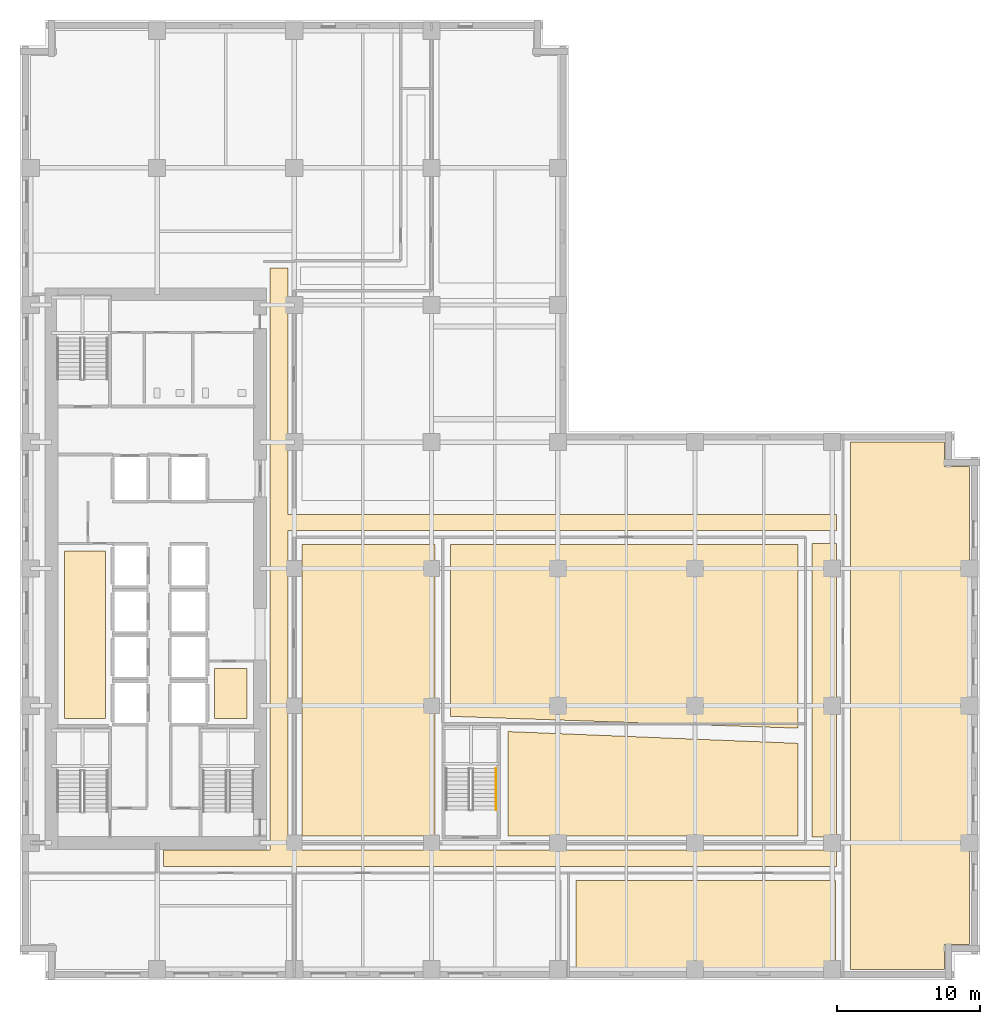
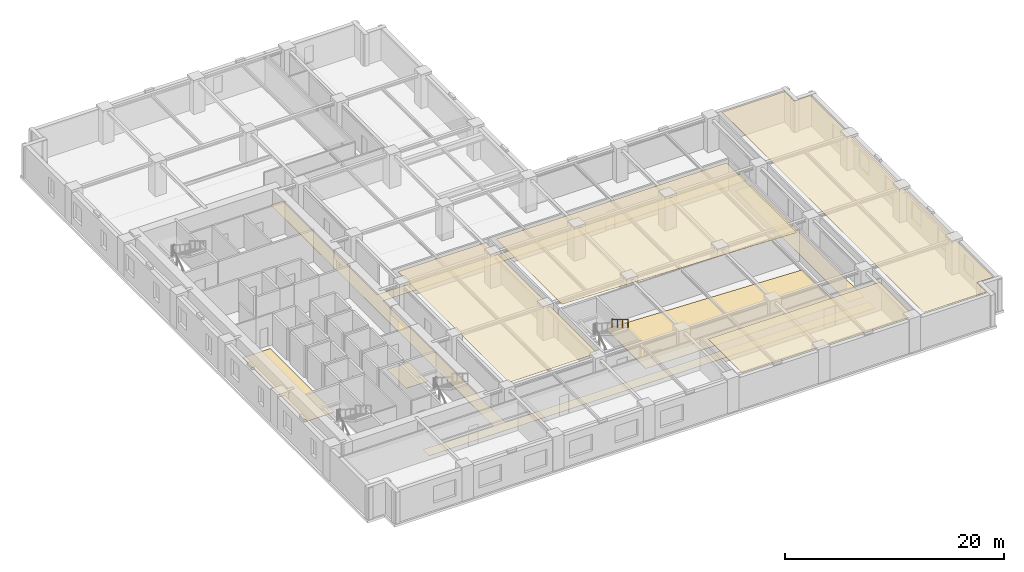
# One storey, part 10 of 13: 9 coverings, 1 railing.
"""IFC4 building model written with IfcOpenShell, lengths in metres."""

from ifc_helpers import new_model, si_unit, direction, frame, origin, origin_2d, place, context, subcontext, project, spatial, polyline, circle, outline, extrude, material, layer, layer_set, type_object, element, save


model = new_model("IFC4")

# Units and contexts
model_context = context("Model", 3, precision=1e-05, world=origin(), true_north=direction((0.0, 1.0)))
body_context = subcontext(model_context, "Body", "Model", "MODEL_VIEW")
ifc_project = project(units=[si_unit("LENGTHUNIT", "METRE"), si_unit("AREAUNIT", "SQUARE_METRE"), si_unit("VOLUMEUNIT", "CUBIC_METRE"), si_unit("PLANEANGLEUNIT", "RADIAN"), si_unit("MASSUNIT", "GRAM", prefix="KILO")], contexts=[model_context])

# Site, building, storey
site_placement = place(None, origin())
site = spatial("IfcSite", under=ifc_project, at=site_placement, CompositionType="ELEMENT")
building_placement = place(site_placement, origin())
building = spatial("IfcBuilding", under=site, at=building_placement, Name="Norrvale University Quadrangle", CompositionType="ELEMENT")
storey_placement = place(building_placement, frame((0.0, 0.0, 54.60009765625)))
storey = spatial("IfcBuildingStorey", under=building, at=storey_placement, Name="L13", CompositionType="ELEMENT", Elevation=54.60009765625)

# Coverings
ifc_material_1 = material(Name="Perforated Acoustic Mineral Ceiling")
ifc_layer_1 = layer(ifc_material_1, 0.02490234375, Name="Perforated Acoustic Mineral Ceiling")
ifc_layer_set_1 = layer_set([ifc_layer_1], Name="Perforated Acoustic Mineral Ceiling")
covering_type_1 = type_object("IfcCoveringType", Name="Covering Acoustic Ceiling 25", PredefinedType="CEILING", material=ifc_layer_set_1)
covering_1_placement = place(storey_placement, frame((0.0, 0.0, 3.514892578125)))
element("IfcCovering", 1, at=covering_1_placement, inside=storey, type_object=covering_type_1, Name="Acoustic Ceiling RM-L13-S03", PredefinedType="CEILING", context=body_context, shape_type="SweptSolid", body=[
    extrude(outline(polyline([(38.929931640625, 6.969970703125), (57.070068359375, 6.969970703125), (57.070068359375, 0.75), (38.929931640625, 0.75), (38.929931640625, 6.969970703125)])), origin(), (0.0, 0.0, 1.0), 0.02490234375),
])
covering_2_placement = place(storey_placement, frame((0.0, 0.0, 3.514892578125)))
element("IfcCovering", 2, at=covering_2_placement, inside=storey, type_object=covering_type_1, Name="Acoustic Ceiling RM-L13-E01", PredefinedType="CEILING", context=body_context, shape_type="SweptSolid", body=[
    extrude(outline(polyline([(58.1298828125, 0.75), (58.1298828125, 37.64990234375), (64.72998046875, 37.64990234375), (64.72998046875, 35.929931640625), (66.449951171875, 35.929931640625), (66.449951171875, 2.469970703125), (64.72998046875, 2.469970703125), (64.72998046875, 0.75), (58.1298828125, 0.75)])), origin(), (0.0, 0.0, 1.0), 0.02490234375),
])
covering_3_placement = place(storey_placement, frame((0.0, 0.0, 3.514892578125)))
element("IfcCovering", 3, at=covering_3_placement, inside=storey, type_object=covering_type_1, Name="Acoustic Ceiling RM-L13-IW1", PredefinedType="CEILING", context=body_context, shape_type="SweptSolid", body=[
    extrude(outline(polyline([(19.72998046875, 10.080078125), (19.72998046875, 30.469970703125), (29.050048828125, 30.469970703125), (29.050048828125, 10.080078125), (19.72998046875, 10.080078125)])), origin(), (0.0, 0.0, 1.0), 0.02490234375),
])
covering_4_placement = place(storey_placement, frame((0.0, 0.0, 3.514892578125)))
element("IfcCovering", 4, at=covering_4_placement, inside=storey, type_object=covering_type_1, Name="Acoustic Ceiling RM-L13-ILH", PredefinedType="CEILING", context=body_context, shape_type="SweptSolid", body=[
    extrude(outline(polyline([(30.1298828125, 18.455078125), (30.1298828125, 30.469970703125), (54.445068359375, 30.469970703125), (54.445068359375, 17.6259765625), (30.1298828125, 18.455078125)])), origin(), (0.0, 0.0, 1.0), 0.02490234375),
])
ifc_material_2 = material(Name="Polished Terrazzo Flooring")
ifc_layer_2 = layer(ifc_material_2, 0.02490234375, Name="Polished Terrazzo Flooring")
ifc_layer_set_2 = layer_set([ifc_layer_2], Name="Polished Terrazzo Flooring")
covering_type_2 = type_object("IfcCoveringType", Name="Covering Terrazzo Floor 30", PredefinedType="FLOORING", material=ifc_layer_set_2)
covering_5_placement = place(storey_placement, origin())
element("IfcCovering", 5, at=covering_5_placement, inside=storey, type_object=covering_type_2, Name="Terrazzo Flooring RM-L13-JAN", PredefinedType="FLOORING", context=body_context, shape_type="SweptSolid", body=[
    extrude(outline(polyline([(13.60009765625, 18.300048828125), (13.60009765625, 21.800048828125), (15.89990234375, 21.800048828125), (15.89990234375, 18.300048828125), (13.60009765625, 18.300048828125)])), origin(), (0.0, 0.0, 1.0), 0.02490234375),
])
covering_6_placement = place(storey_placement, origin())
element("IfcCovering", 6, at=covering_6_placement, inside=storey, type_object=covering_type_2, Name="Terrazzo Flooring RM-L13-WSTOR", PredefinedType="FLOORING", context=body_context, shape_type="SweptSolid", body=[
    extrude(outline(polyline([(3.10009765625, 18.300048828125), (3.10009765625, 30.030029296875), (6.0, 30.030029296875), (6.0, 18.300048828125), (3.10009765625, 18.300048828125)])), origin(), (0.0, 0.0, 1.0), 0.02490234375),
])
covering_7_placement = place(storey_placement, origin())
element("IfcCovering", 7, at=covering_7_placement, inside=storey, type_object=covering_type_2, Name="Terrazzo Flooring RM-L13-CORR1", PredefinedType="FLOORING", context=body_context, shape_type="SweptSolid", body=[
    extrude(outline(polyline([(10.050048828125, 7.949951171875), (10.050048828125, 9.10009765625), (17.5, 9.10009765625), (17.5, 49.85009765625), (18.75, 49.85009765625), (18.75, 32.60009765625), (57.14990234375, 32.60009765625), (57.14990234375, 31.449951171875), (18.75, 31.449951171875), (18.75, 9.10009765625), (57.14990234375, 9.10009765625), (57.14990234375, 7.949951171875), (10.050048828125, 7.949951171875)])), origin(), (0.0, 0.0, 1.0), 0.02490234375),
])
covering_8_placement = place(storey_placement, origin())
element("IfcCovering", 8, at=covering_8_placement, inside=storey, type_object=covering_type_2, Name="Terrazzo Flooring RM-L13-CORR2", PredefinedType="FLOORING", context=body_context, shape_type="SweptSolid", body=[
    extrude(outline(polyline([(55.425048828125, 10.0), (55.425048828125, 30.550048828125), (57.14990234375, 30.550048828125), (57.14990234375, 10.0), (55.425048828125, 10.0)])), origin(), (0.0, 0.0, 1.0), 0.02490234375),
])
covering_9_placement = place(storey_placement, origin())
element("IfcCovering", 9, at=covering_9_placement, inside=storey, type_object=covering_type_2, Name="Terrazzo Flooring RM-L13-ISE", PredefinedType="FLOORING", context=body_context, shape_type="SweptSolid", body=[
    extrude(outline(polyline([(34.14990234375, 10.080078125), (34.14990234375, 17.39111328125), (54.445068359375, 16.568115234375), (54.445068359375, 10.080078125), (34.14990234375, 10.080078125)])), origin(), (0.0, 0.0, 1.0), 0.02490234375),
])

# Railing
ifc_material_3 = material(Name="Stainless Steel 316L Handrail", Category="steel")
railing_type = type_object("IfcRailingType", Name="Railing Stair Handrail 920", PredefinedType="HANDRAIL", material=ifc_material_3)
railing_placement = place(storey_placement, frame((33.31005859375, 14.800048828125, 2.072509765625)))
element("IfcRailing", 10, at=railing_placement, inside=storey, type_object=railing_type, Name="Stair Upper Flight Handrail ST-04 L13", PredefinedType="HANDRAIL", context=body_context, shape_type="SweptSolid", body=[
    extrude(circle(Radius=0.02392578125, at=origin_2d()), frame((0.0, 0.0, 0.89599609375), z_axis=(0.0, -0.859160404282, 0.51170636083), x_axis=(1.0, 0.0, 0.0)), (0.0, 0.0, 1.0), 3.37548828125),
    extrude(circle(Radius=0.02099609375, at=origin_2d()), origin(), (0.0, 0.0, 1.0), 0.871826171875),
    extrude(circle(Radius=0.02099609375, at=origin_2d()), frame((0.0, -0.966796875, 0.57568359375)), (0.0, 0.0, 1.0), 0.871826171875),
    extrude(circle(Radius=0.02099609375, at=origin_2d()), frame((0.0, -1.933349609375, 1.151611328125)), (0.0, 0.0, 1.0), 0.871826171875),
    extrude(circle(Radius=0.02099609375, at=origin_2d()), frame((0.0, -2.900146484375, 1.727294921875)), (0.0, 0.0, 1.0), 0.871826171875),
])

save(model, "model.ifc")
